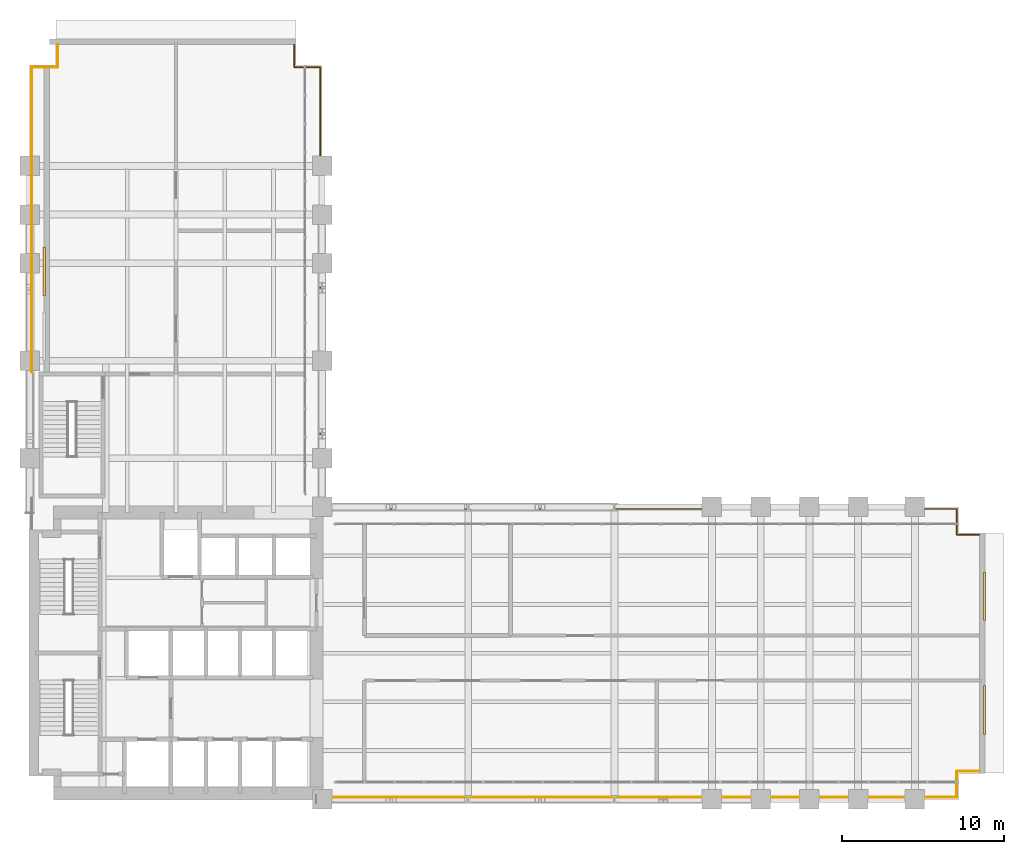
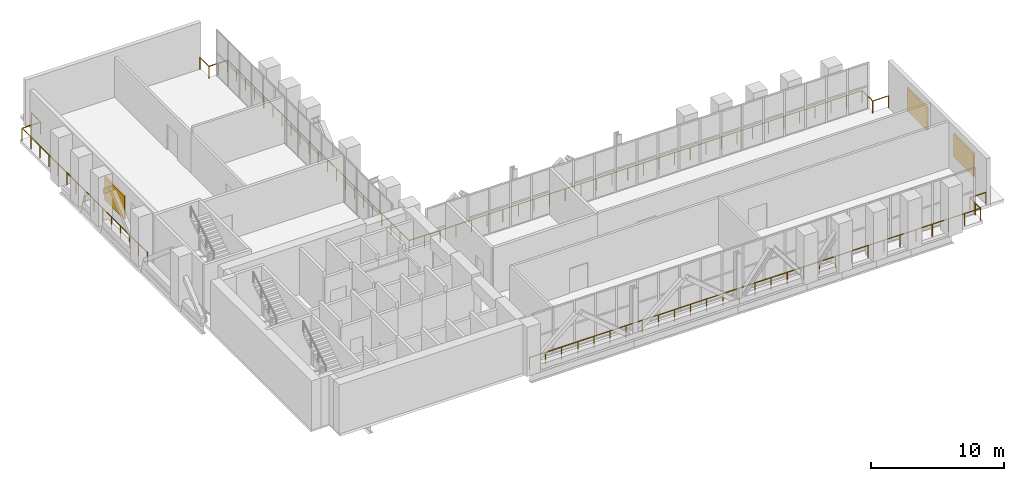
# One storey, part 27 of 27: 3 railings, 3 shading devices.
"""IFC4 building model written with IfcOpenShell, lengths in metres."""

from ifc_helpers import new_model, si_unit, direction, frame, origin, origin_2d, place, context, subcontext, project, spatial, rectangle, circle, extrude, material, layer, layer_set, type_object, element, save


model = new_model("IFC4")

# Units and contexts
model_context = context("Model", 3, precision=1e-05, world=origin(), true_north=direction((0.0, 1.0)))
body_context = subcontext(model_context, "Body", "Model", "MODEL_VIEW")
ifc_project = project(units=[si_unit("LENGTHUNIT", "METRE"), si_unit("AREAUNIT", "SQUARE_METRE"), si_unit("VOLUMEUNIT", "CUBIC_METRE"), si_unit("PLANEANGLEUNIT", "RADIAN"), si_unit("MASSUNIT", "GRAM", prefix="KILO")], contexts=[model_context])

# Site, building, storey
site_placement = place(None, origin())
site = spatial("IfcSite", under=ifc_project, at=site_placement, CompositionType="ELEMENT")
building_placement = place(site_placement, origin())
building = spatial("IfcBuilding", under=site, at=building_placement, Name="Mawjdan Bourse Tower", CompositionType="ELEMENT")
storey_placement = place(building_placement, frame((0.0, 0.0, 84.60009765625)))
storey = spatial("IfcBuildingStorey", under=building, at=storey_placement, Name="L19", CompositionType="ELEMENT", Elevation=84.60009765625)

# Railings
ifc_material_1 = material(Name="Structural Steel S355", Category="steel")
railing_type = type_object("IfcRailingType", Name="RLG-GRD-1100", PredefinedType="GUARDRAIL", material=ifc_material_1)
railing_1_placement = place(storey_placement, frame((24.050048828125, 3.1201171875, 0.0)))
element("IfcRailing", 1, at=railing_1_placement, inside=storey, type_object=railing_type, Name="L19 Refuge South-East Perimeter Safety Guardrail", PredefinedType="GUARDRAIL", context=body_context, shape_type="SweptSolid", body=[
    extrude(circle(Radius=0.02490234375, at=origin_2d()), frame((0.0, 0.0, 1.09521484375), z_axis=(1.0, 0.0, 0.0), x_axis=(0.0, 1.0, 0.0)), (0.0, 0.0, 1.0), 39.030029296875),
    extrude(circle(Radius=0.02490234375, at=origin_2d()), frame((39.030029296875, 0.0, 1.09521484375), z_axis=(0.0, 1.0, 0.0), x_axis=(-1.0, 0.0, 0.0)), (0.0, 0.0, 1.0), 1.599853515625),
    extrude(circle(Radius=0.02490234375, at=origin_2d()), frame((39.030029296875, 1.599853515625, 1.09521484375), z_axis=(1.0, 0.0, 0.0), x_axis=(0.0, 1.0, 0.0)), (0.0, 0.0, 1.0), 1.3798828125),
    extrude(circle(Radius=0.02197265625, at=origin_2d()), origin(), (0.0, 0.0, 1.0), 1.070068359375),
    extrude(circle(Radius=0.02197265625, at=origin_2d()), frame((1.39404296875, 0.0, 0.0)), (0.0, 0.0, 1.0), 1.070068359375),
    extrude(circle(Radius=0.02197265625, at=origin_2d()), frame((2.787841796875, 0.0, 0.0)), (0.0, 0.0, 1.0), 1.070068359375),
    extrude(circle(Radius=0.02197265625, at=origin_2d()), frame((4.181884765625, 0.0, 0.0)), (0.0, 0.0, 1.0), 1.070068359375),
    extrude(circle(Radius=0.02197265625, at=origin_2d()), frame((5.57568359375, 0.0, 0.0)), (0.0, 0.0, 1.0), 1.070068359375),
    extrude(circle(Radius=0.02197265625, at=origin_2d()), frame((6.9697265625, 0.0, 0.0)), (0.0, 0.0, 1.0), 1.070068359375),
    extrude(circle(Radius=0.02197265625, at=origin_2d()), frame((8.363525390625, 0.0, 0.0)), (0.0, 0.0, 1.0), 1.070068359375),
    extrude(circle(Radius=0.02197265625, at=origin_2d()), frame((9.757568359375, 0.0, 0.0)), (0.0, 0.0, 1.0), 1.070068359375),
    extrude(circle(Radius=0.02197265625, at=origin_2d()), frame((11.1513671875, 0.0, 0.0)), (0.0, 0.0, 1.0), 1.070068359375),
    extrude(circle(Radius=0.02197265625, at=origin_2d()), frame((12.54541015625, 0.0, 0.0)), (0.0, 0.0, 1.0), 1.070068359375),
    extrude(circle(Radius=0.02197265625, at=origin_2d()), frame((13.939208984375, 0.0, 0.0)), (0.0, 0.0, 1.0), 1.070068359375),
    extrude(circle(Radius=0.02197265625, at=origin_2d()), frame((15.333251953125, 0.0, 0.0)), (0.0, 0.0, 1.0), 1.070068359375),
    extrude(circle(Radius=0.02197265625, at=origin_2d()), frame((16.72705078125, 0.0, 0.0)), (0.0, 0.0, 1.0), 1.070068359375),
    extrude(circle(Radius=0.02197265625, at=origin_2d()), frame((18.12109375, 0.0, 0.0)), (0.0, 0.0, 1.0), 1.070068359375),
    extrude(circle(Radius=0.02197265625, at=origin_2d()), frame((19.51513671875, 0.0, 0.0)), (0.0, 0.0, 1.0), 1.070068359375),
    extrude(circle(Radius=0.02197265625, at=origin_2d()), frame((20.908935546875, 0.0, 0.0)), (0.0, 0.0, 1.0), 1.070068359375),
    extrude(circle(Radius=0.02197265625, at=origin_2d()), frame((22.302978515625, 0.0, 0.0)), (0.0, 0.0, 1.0), 1.070068359375),
    extrude(circle(Radius=0.02197265625, at=origin_2d()), frame((23.69677734375, 0.0, 0.0)), (0.0, 0.0, 1.0), 1.070068359375),
    extrude(circle(Radius=0.02197265625, at=origin_2d()), frame((25.0908203125, 0.0, 0.0)), (0.0, 0.0, 1.0), 1.070068359375),
    extrude(circle(Radius=0.02197265625, at=origin_2d()), frame((26.484619140625, 0.0, 0.0)), (0.0, 0.0, 1.0), 1.070068359375),
    extrude(circle(Radius=0.02197265625, at=origin_2d()), frame((27.878662109375, 0.0, 0.0)), (0.0, 0.0, 1.0), 1.070068359375),
    extrude(circle(Radius=0.02197265625, at=origin_2d()), frame((29.2724609375, 0.0, 0.0)), (0.0, 0.0, 1.0), 1.070068359375),
    extrude(circle(Radius=0.02197265625, at=origin_2d()), frame((30.66650390625, 0.0, 0.0)), (0.0, 0.0, 1.0), 1.070068359375),
    extrude(circle(Radius=0.02197265625, at=origin_2d()), frame((32.060302734375, 0.0, 0.0)), (0.0, 0.0, 1.0), 1.070068359375),
    extrude(circle(Radius=0.02197265625, at=origin_2d()), frame((33.454345703125, 0.0, 0.0)), (0.0, 0.0, 1.0), 1.070068359375),
    extrude(circle(Radius=0.02197265625, at=origin_2d()), frame((34.84814453125, 0.0, 0.0)), (0.0, 0.0, 1.0), 1.070068359375),
    extrude(circle(Radius=0.02197265625, at=origin_2d()), frame((36.2421875, 0.0, 0.0)), (0.0, 0.0, 1.0), 1.070068359375),
    extrude(circle(Radius=0.02197265625, at=origin_2d()), frame((37.635986328125, 0.0, 0.0)), (0.0, 0.0, 1.0), 1.070068359375),
    extrude(circle(Radius=0.02197265625, at=origin_2d()), frame((39.030029296875, 0.0, 0.0)), (0.0, 0.0, 1.0), 1.070068359375),
    extrude(circle(Radius=0.02197265625, at=origin_2d()), frame((39.030029296875, 0.7998046875, 0.0)), (0.0, 0.0, 1.0), 1.070068359375),
    extrude(circle(Radius=0.02197265625, at=origin_2d()), frame((39.030029296875, 1.599853515625, 0.0)), (0.0, 0.0, 1.0), 1.070068359375),
    extrude(circle(Radius=0.02197265625, at=origin_2d()), frame((40.409912109375, 1.599853515625, 0.0)), (0.0, 0.0, 1.0), 1.070068359375),
])
railing_2_placement = place(storey_placement, frame((64.4599609375, 19.280029296875, 0.0)))
element("IfcRailing", 2, at=railing_2_placement, inside=storey, type_object=railing_type, Name="L19 Refuge North-East Perimeter Safety Guardrail", PredefinedType="GUARDRAIL", context=body_context, shape_type="SweptSolid", body=[
    extrude(circle(Radius=0.02490234375, at=origin_2d()), frame((0.0, 0.0, 1.09521484375), z_axis=(-1.0, 0.0, 0.0), x_axis=(0.0, -1.0, 0.0)), (0.0, 0.0, 1.0), 1.3798828125),
    extrude(circle(Radius=0.02490234375, at=origin_2d()), frame((-1.3798828125, 0.0, 1.09521484375), z_axis=(0.0, 1.0, 0.0), x_axis=(-1.0, 0.0, 0.0)), (0.0, 0.0, 1.0), 1.599853515625),
    extrude(circle(Radius=0.02490234375, at=origin_2d()), frame((-1.3798828125, 1.599853515625, 1.09521484375), z_axis=(-1.0, 0.0, 0.0), x_axis=(0.0, -1.0, 0.0)), (0.0, 0.0, 1.0), 39.2001953125),
    extrude(circle(Radius=0.02490234375, at=origin_2d()), frame((-40.580078125, 1.599853515625, 1.09521484375), z_axis=(0.0, 1.0, 0.0), x_axis=(-1.0, 0.0, 0.0)), (0.0, 0.0, 1.0), 27.2001953125),
    extrude(circle(Radius=0.02490234375, at=origin_2d()), frame((-40.580078125, 28.800048828125, 1.09521484375), z_axis=(-1.0, 0.0, 0.0), x_axis=(0.0, -1.0, 0.0)), (0.0, 0.0, 1.0), 1.599853515625),
    extrude(circle(Radius=0.02490234375, at=origin_2d()), frame((-42.179931640625, 28.800048828125, 1.09521484375), z_axis=(0.0, 1.0, 0.0), x_axis=(-1.0, 0.0, 0.0)), (0.0, 0.0, 1.0), 1.3798828125),
    extrude(circle(Radius=0.02197265625, at=origin_2d()), origin(), (0.0, 0.0, 1.0), 1.070068359375),
    extrude(circle(Radius=0.02197265625, at=origin_2d()), frame((-1.3798828125, 0.0, 0.0)), (0.0, 0.0, 1.0), 1.070068359375),
    extrude(circle(Radius=0.02197265625, at=origin_2d()), frame((-1.3798828125, 0.7998046875, 0.0)), (0.0, 0.0, 1.0), 1.070068359375),
    extrude(circle(Radius=0.02197265625, at=origin_2d()), frame((-1.3798828125, 1.599853515625, 0.0)), (0.0, 0.0, 1.0), 1.070068359375),
    extrude(circle(Radius=0.02197265625, at=origin_2d()), frame((-2.731689453125, 1.599853515625, 0.0)), (0.0, 0.0, 1.0), 1.070068359375),
    extrude(circle(Radius=0.02197265625, at=origin_2d()), frame((-4.083251953125, 1.599853515625, 0.0)), (0.0, 0.0, 1.0), 1.070068359375),
    extrude(circle(Radius=0.02197265625, at=origin_2d()), frame((-5.43505859375, 1.599853515625, 0.0)), (0.0, 0.0, 1.0), 1.070068359375),
    extrude(circle(Radius=0.02197265625, at=origin_2d()), frame((-6.786865234375, 1.599853515625, 0.0)), (0.0, 0.0, 1.0), 1.070068359375),
    extrude(circle(Radius=0.02197265625, at=origin_2d()), frame((-8.138427734375, 1.599853515625, 0.0)), (0.0, 0.0, 1.0), 1.070068359375),
    extrude(circle(Radius=0.02197265625, at=origin_2d()), frame((-9.490234375, 1.599853515625, 0.0)), (0.0, 0.0, 1.0), 1.070068359375),
    extrude(circle(Radius=0.02197265625, at=origin_2d()), frame((-10.842041015625, 1.599853515625, 0.0)), (0.0, 0.0, 1.0), 1.070068359375),
    extrude(circle(Radius=0.02197265625, at=origin_2d()), frame((-12.19384765625, 1.599853515625, 0.0)), (0.0, 0.0, 1.0), 1.070068359375),
    extrude(circle(Radius=0.02197265625, at=origin_2d()), frame((-13.54541015625, 1.599853515625, 0.0)), (0.0, 0.0, 1.0), 1.070068359375),
    extrude(circle(Radius=0.02197265625, at=origin_2d()), frame((-14.897216796875, 1.599853515625, 0.0)), (0.0, 0.0, 1.0), 1.070068359375),
    extrude(circle(Radius=0.02197265625, at=origin_2d()), frame((-16.2490234375, 1.599853515625, 0.0)), (0.0, 0.0, 1.0), 1.070068359375),
    extrude(circle(Radius=0.02197265625, at=origin_2d()), frame((-17.6005859375, 1.599853515625, 0.0)), (0.0, 0.0, 1.0), 1.070068359375),
    extrude(circle(Radius=0.02197265625, at=origin_2d()), frame((-18.952392578125, 1.599853515625, 0.0)), (0.0, 0.0, 1.0), 1.070068359375),
    extrude(circle(Radius=0.02197265625, at=origin_2d()), frame((-20.30419921875, 1.599853515625, 0.0)), (0.0, 0.0, 1.0), 1.070068359375),
    extrude(circle(Radius=0.02197265625, at=origin_2d()), frame((-21.65576171875, 1.599853515625, 0.0)), (0.0, 0.0, 1.0), 1.070068359375),
    extrude(circle(Radius=0.02197265625, at=origin_2d()), frame((-23.007568359375, 1.599853515625, 0.0)), (0.0, 0.0, 1.0), 1.070068359375),
    extrude(circle(Radius=0.02197265625, at=origin_2d()), frame((-24.359375, 1.599853515625, 0.0)), (0.0, 0.0, 1.0), 1.070068359375),
    extrude(circle(Radius=0.02197265625, at=origin_2d()), frame((-25.7109375, 1.599853515625, 0.0)), (0.0, 0.0, 1.0), 1.070068359375),
    extrude(circle(Radius=0.02197265625, at=origin_2d()), frame((-27.062744140625, 1.599853515625, 0.0)), (0.0, 0.0, 1.0), 1.070068359375),
    extrude(circle(Radius=0.02197265625, at=origin_2d()), frame((-28.41455078125, 1.599853515625, 0.0)), (0.0, 0.0, 1.0), 1.070068359375),
    extrude(circle(Radius=0.02197265625, at=origin_2d()), frame((-29.76611328125, 1.599853515625, 0.0)), (0.0, 0.0, 1.0), 1.070068359375),
    extrude(circle(Radius=0.02197265625, at=origin_2d()), frame((-31.117919921875, 1.599853515625, 0.0)), (0.0, 0.0, 1.0), 1.070068359375),
    extrude(circle(Radius=0.02197265625, at=origin_2d()), frame((-32.4697265625, 1.599853515625, 0.0)), (0.0, 0.0, 1.0), 1.070068359375),
    extrude(circle(Radius=0.02197265625, at=origin_2d()), frame((-33.821533203125, 1.599853515625, 0.0)), (0.0, 0.0, 1.0), 1.070068359375),
    extrude(circle(Radius=0.02197265625, at=origin_2d()), frame((-35.173095703125, 1.599853515625, 0.0)), (0.0, 0.0, 1.0), 1.070068359375),
    extrude(circle(Radius=0.02197265625, at=origin_2d()), frame((-36.52490234375, 1.599853515625, 0.0)), (0.0, 0.0, 1.0), 1.070068359375),
    extrude(circle(Radius=0.02197265625, at=origin_2d()), frame((-37.876708984375, 1.599853515625, 0.0)), (0.0, 0.0, 1.0), 1.070068359375),
    extrude(circle(Radius=0.02197265625, at=origin_2d()), frame((-39.228271484375, 1.599853515625, 0.0)), (0.0, 0.0, 1.0), 1.070068359375),
    extrude(circle(Radius=0.02197265625, at=origin_2d()), frame((-40.580078125, 1.599853515625, 0.0)), (0.0, 0.0, 1.0), 1.070068359375),
    extrude(circle(Radius=0.02197265625, at=origin_2d()), frame((-40.580078125, 2.9599609375, 0.0)), (0.0, 0.0, 1.0), 1.070068359375),
    extrude(circle(Radius=0.02197265625, at=origin_2d()), frame((-40.580078125, 4.31982421875, 0.0)), (0.0, 0.0, 1.0), 1.070068359375),
    extrude(circle(Radius=0.02197265625, at=origin_2d()), frame((-40.580078125, 5.679931640625, 0.0)), (0.0, 0.0, 1.0), 1.070068359375),
    extrude(circle(Radius=0.02197265625, at=origin_2d()), frame((-40.580078125, 7.039794921875, 0.0)), (0.0, 0.0, 1.0), 1.070068359375),
    extrude(circle(Radius=0.02197265625, at=origin_2d()), frame((-40.580078125, 8.39990234375, 0.0)), (0.0, 0.0, 1.0), 1.070068359375),
    extrude(circle(Radius=0.02197265625, at=origin_2d()), frame((-40.580078125, 9.760009765625, 0.0)), (0.0, 0.0, 1.0), 1.070068359375),
    extrude(circle(Radius=0.02197265625, at=origin_2d()), frame((-40.580078125, 11.119873046875, 0.0)), (0.0, 0.0, 1.0), 1.070068359375),
    extrude(circle(Radius=0.02197265625, at=origin_2d()), frame((-40.580078125, 12.47998046875, 0.0)), (0.0, 0.0, 1.0), 1.070068359375),
    extrude(circle(Radius=0.02197265625, at=origin_2d()), frame((-40.580078125, 13.83984375, 0.0)), (0.0, 0.0, 1.0), 1.070068359375),
    extrude(circle(Radius=0.02197265625, at=origin_2d()), frame((-40.580078125, 15.199951171875, 0.0)), (0.0, 0.0, 1.0), 1.070068359375),
    extrude(circle(Radius=0.02197265625, at=origin_2d()), frame((-40.580078125, 16.56005859375, 0.0)), (0.0, 0.0, 1.0), 1.070068359375),
    extrude(circle(Radius=0.02197265625, at=origin_2d()), frame((-40.580078125, 17.919921875, 0.0)), (0.0, 0.0, 1.0), 1.070068359375),
    extrude(circle(Radius=0.02197265625, at=origin_2d()), frame((-40.580078125, 19.280029296875, 0.0)), (0.0, 0.0, 1.0), 1.070068359375),
    extrude(circle(Radius=0.02197265625, at=origin_2d()), frame((-40.580078125, 20.639892578125, 0.0)), (0.0, 0.0, 1.0), 1.070068359375),
    extrude(circle(Radius=0.02197265625, at=origin_2d()), frame((-40.580078125, 22.0, 0.0)), (0.0, 0.0, 1.0), 1.070068359375),
    extrude(circle(Radius=0.02197265625, at=origin_2d()), frame((-40.580078125, 23.360107421875, 0.0)), (0.0, 0.0, 1.0), 1.070068359375),
    extrude(circle(Radius=0.02197265625, at=origin_2d()), frame((-40.580078125, 24.719970703125, 0.0)), (0.0, 0.0, 1.0), 1.070068359375),
    extrude(circle(Radius=0.02197265625, at=origin_2d()), frame((-40.580078125, 26.080078125, 0.0)), (0.0, 0.0, 1.0), 1.070068359375),
    extrude(circle(Radius=0.02197265625, at=origin_2d()), frame((-40.580078125, 27.43994140625, 0.0)), (0.0, 0.0, 1.0), 1.070068359375),
    extrude(circle(Radius=0.02197265625, at=origin_2d()), frame((-40.580078125, 28.800048828125, 0.0)), (0.0, 0.0, 1.0), 1.070068359375),
    extrude(circle(Radius=0.02197265625, at=origin_2d()), frame((-41.3798828125, 28.800048828125, 0.0)), (0.0, 0.0, 1.0), 1.070068359375),
    extrude(circle(Radius=0.02197265625, at=origin_2d()), frame((-42.179931640625, 28.800048828125, 0.0)), (0.0, 0.0, 1.0), 1.070068359375),
    extrude(circle(Radius=0.02197265625, at=origin_2d()), frame((-42.179931640625, 30.179931640625, 0.0)), (0.0, 0.0, 1.0), 1.070068359375),
])
railing_3_placement = place(storey_placement, frame((7.719970703125, 49.4599609375, 0.0)))
element("IfcRailing", 3, at=railing_3_placement, inside=storey, type_object=railing_type, Name="L19 Refuge North-West Perimeter Safety Guardrail", PredefinedType="GUARDRAIL", context=body_context, shape_type="SweptSolid", body=[
    extrude(circle(Radius=0.02490234375, at=origin_2d()), frame((0.0, 0.0, 1.09521484375), z_axis=(0.0, -1.0, 0.0), x_axis=(1.0, 0.0, 0.0)), (0.0, 0.0, 1.0), 1.3798828125),
    extrude(circle(Radius=0.02490234375, at=origin_2d()), frame((0.0, -1.3798828125, 1.09521484375), z_axis=(-1.0, 0.0, 0.0), x_axis=(0.0, -1.0, 0.0)), (0.0, 0.0, 1.0), 1.599853515625),
    extrude(circle(Radius=0.02490234375, at=origin_2d()), frame((-1.599853515625, -1.3798828125, 1.09521484375), z_axis=(0.0, -1.0, 0.0), x_axis=(1.0, 0.0, 0.0)), (0.0, 0.0, 1.0), 18.780029296875),
    extrude(circle(Radius=0.02197265625, at=origin_2d()), origin(), (0.0, 0.0, 1.0), 1.070068359375),
    extrude(circle(Radius=0.02197265625, at=origin_2d()), frame((0.0, -1.3798828125, 0.0)), (0.0, 0.0, 1.0), 1.070068359375),
    extrude(circle(Radius=0.02197265625, at=origin_2d()), frame((-0.7998046875, -1.3798828125, 0.0)), (0.0, 0.0, 1.0), 1.070068359375),
    extrude(circle(Radius=0.02197265625, at=origin_2d()), frame((-1.599853515625, -1.3798828125, 0.0)), (0.0, 0.0, 1.0), 1.070068359375),
    extrude(circle(Radius=0.02197265625, at=origin_2d()), frame((-1.599853515625, -2.72119140625, 0.0)), (0.0, 0.0, 1.0), 1.070068359375),
    extrude(circle(Radius=0.02197265625, at=origin_2d()), frame((-1.599853515625, -4.062744140625, 0.0)), (0.0, 0.0, 1.0), 1.070068359375),
    extrude(circle(Radius=0.02197265625, at=origin_2d()), frame((-1.599853515625, -5.404296875, 0.0)), (0.0, 0.0, 1.0), 1.070068359375),
    extrude(circle(Radius=0.02197265625, at=origin_2d()), frame((-1.599853515625, -6.74560546875, 0.0)), (0.0, 0.0, 1.0), 1.070068359375),
    extrude(circle(Radius=0.02197265625, at=origin_2d()), frame((-1.599853515625, -8.0869140625, 0.0)), (0.0, 0.0, 1.0), 1.070068359375),
    extrude(circle(Radius=0.02197265625, at=origin_2d()), frame((-1.599853515625, -9.428466796875, 0.0)), (0.0, 0.0, 1.0), 1.070068359375),
    extrude(circle(Radius=0.02197265625, at=origin_2d()), frame((-1.599853515625, -10.77001953125, 0.0)), (0.0, 0.0, 1.0), 1.070068359375),
    extrude(circle(Radius=0.02197265625, at=origin_2d()), frame((-1.599853515625, -12.111328125, 0.0)), (0.0, 0.0, 1.0), 1.070068359375),
    extrude(circle(Radius=0.02197265625, at=origin_2d()), frame((-1.599853515625, -13.452880859375, 0.0)), (0.0, 0.0, 1.0), 1.070068359375),
    extrude(circle(Radius=0.02197265625, at=origin_2d()), frame((-1.599853515625, -14.794189453125, 0.0)), (0.0, 0.0, 1.0), 1.070068359375),
    extrude(circle(Radius=0.02197265625, at=origin_2d()), frame((-1.599853515625, -16.1357421875, 0.0)), (0.0, 0.0, 1.0), 1.070068359375),
    extrude(circle(Radius=0.02197265625, at=origin_2d()), frame((-1.599853515625, -17.47705078125, 0.0)), (0.0, 0.0, 1.0), 1.070068359375),
    extrude(circle(Radius=0.02197265625, at=origin_2d()), frame((-1.599853515625, -18.818359375, 0.0)), (0.0, 0.0, 1.0), 1.070068359375),
    extrude(circle(Radius=0.02197265625, at=origin_2d()), frame((-1.599853515625, -20.159912109375, 0.0)), (0.0, 0.0, 1.0), 1.070068359375),
])

# Shading devices
ifc_material_2 = material(Name="Anodised Sand-Trap Aluminium", Category="aluminium")
ifc_layer = layer(ifc_material_2, 0.139892578125)
ifc_layer_set = layer_set([ifc_layer], Name="Anodised Sand-Trap Aluminium")
shading_device_type = type_object("IfcShadingDeviceType", Name="SHD-LVR-SAND", PredefinedType="JALOUSIE", material=ifc_layer_set)
for number, where, z_axis, x_axis, name in (
    (4, (64.780029296875, 8.5, 1.0498046875), (0.0, 0.0, 1.0), (1.0, 0.0, 0.0), "L19 Sand-Trap Intake Louvre 1"),
    (5, (64.780029296875, 15.5, 1.0498046875), (0.0, 0.0, 1.0), (1.0, 0.0, 0.0), "L19 Sand-Trap Intake Louvre 2"),
    (6, (6.89990234375, 35.5, 1.0498046875), (0.0, 0.0, 1.0), (1.0, 0.0, 0.0), "L19 West Sand-Trap Intake Louvre 2"),
):
    element("IfcShadingDevice", number, at=place(storey_placement, frame(where, z_axis=z_axis, x_axis=x_axis)), inside=storey, type_object=shading_device_type, Name=name, PredefinedType="JALOUSIE", context=body_context, shape_type="SweptSolid", body=[
        extrude(rectangle(XDim=0.139892578125, YDim=3.0, at=origin_2d()), origin(), (0.0, 0.0, 1.0), 2.10009765625),
    ])

save(model, "model.ifc")
